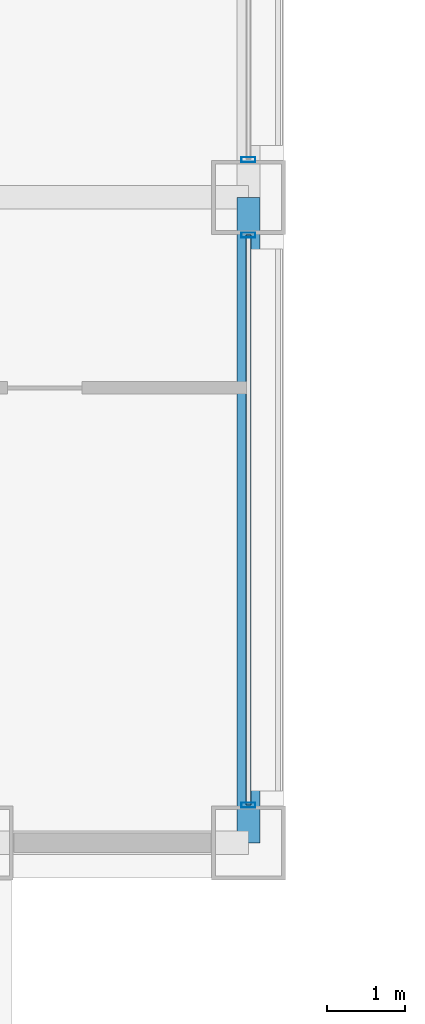
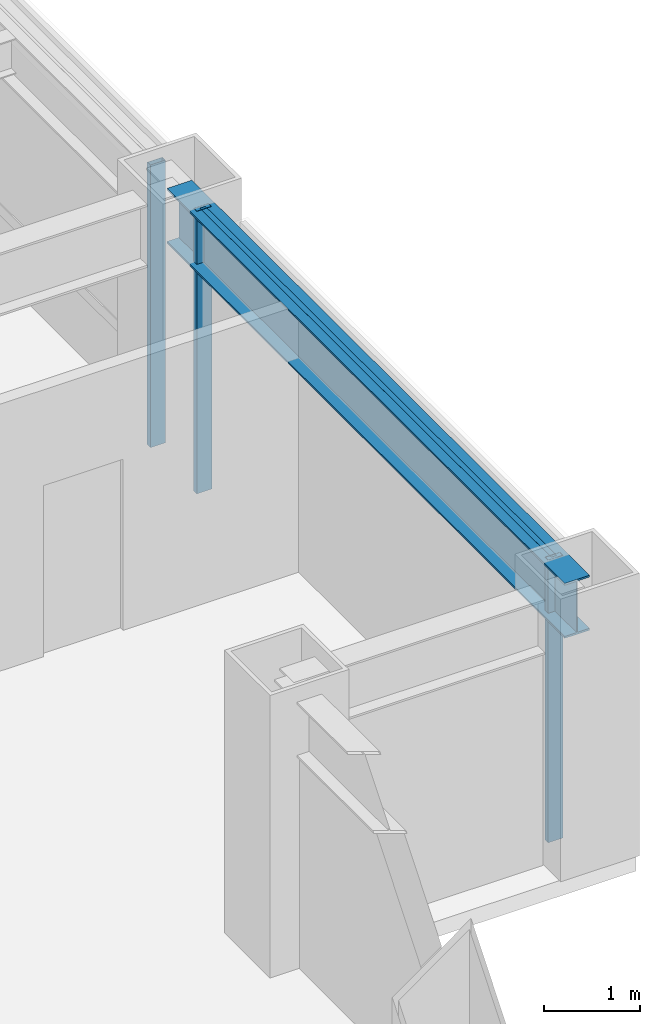
# One storey, part 12 of 28: 4 members, 1 beam, 2 elements without a shape of their own.
"""IFC4 building model written with IfcOpenShell, lengths in metres."""

from ifc_helpers import new_model, si_unit, direction, frame, origin, origin_2d, place, context, subcontext, project, spatial, hollow_rectangle, i_section, extrude, material, layer, layer_set, material_profile, profile_set, type_object, element, aggregate, save


model = new_model("IFC4")

# Units and contexts
model_context = context("Model", 3, precision=1e-05, world=origin(), true_north=direction((0.0, 1.0)))
body_context = subcontext(model_context, "Body", "Model", "MODEL_VIEW")
ifc_project = project(units=[si_unit("LENGTHUNIT", "METRE"), si_unit("AREAUNIT", "SQUARE_METRE"), si_unit("VOLUMEUNIT", "CUBIC_METRE"), si_unit("PLANEANGLEUNIT", "RADIAN"), si_unit("MASSUNIT", "GRAM", prefix="KILO")], contexts=[model_context])

# Site, building, storey
site_placement = place(None, origin())
site = spatial("IfcSite", under=ifc_project, at=site_placement, CompositionType="ELEMENT")
building_placement = place(site_placement, origin())
building = spatial("IfcBuilding", under=site, at=building_placement, Name="Brelmoor Portico Tower", CompositionType="ELEMENT")
storey_placement = place(building_placement, frame((0.0, 0.0, 49.199951171875)))
storey = spatial("IfcBuildingStorey", under=building, at=storey_placement, Name="L12", CompositionType="ELEMENT", Elevation=49.199951171875)

# Beam
ifc_material_1 = material(Name="Steel Q355B", Category="steel")
ifc_material_profile_1 = material_profile(ifc_material_1, i_section(OverallWidth=0.300048828125, OverallDepth=0.699951171875, WebThickness=0.012939453125, FlangeThickness=0.02392578125, at=origin_2d()), Name="HN 700x300x13x24")
ifc_profile_set_1 = profile_set([ifc_material_profile_1], Name="Steel Q355B")
beam_type = type_object("IfcBeamType", Name="BM-SP-700", PredefinedType="SPANDREL", material=ifc_profile_set_1)
beam_placement = place(storey_placement, frame((24.550048828125, -18.050048828125, 3.050048828125), z_axis=(0.0, 1.0, 0.0), x_axis=(-1.0, 0.0, 0.0)))
element("IfcBeam", 1, at=beam_placement, inside=storey, type_object=beam_type, Name="L12 Perimeter Spandrel Beam SP-22", PredefinedType="SPANDREL", context=body_context, shape_type="SweptSolid", body=[
    extrude(i_section(OverallWidth=0.300048828125, OverallDepth=0.699951171875, WebThickness=0.012939453125, FlangeThickness=0.02392578125, at=origin_2d()), origin(), (0.0, 0.0, 1.0), 8.300048828125),
])

# Curtain wall, members
ifc_material_2 = material(Name="Anodised Aluminium Alloy 6063-T6", Category="aluminium")
ifc_layer_1 = layer(ifc_material_2, 0.179931640625)
ifc_layer_set_1 = layer_set([ifc_layer_1], Name="Anodised Aluminium Alloy 6063-T6")
curtain_wall_type_1 = type_object("IfcCurtainWallType", Name="CW-TOWER-Z1-XB", PredefinedType="NOTDEFINED", material=ifc_layer_set_1)
curtain_wall_1_placement = place(storey_placement, origin())
curtain_wall_1 = element("IfcCurtainWall", 2, at=curtain_wall_1_placement, inside=storey, type_object=curtain_wall_type_1, Name="L12 Curtain Wall CW-L12-04-1", PredefinedType="NOTDEFINED")
ifc_material_profile_2 = material_profile(ifc_material_2, hollow_rectangle(XDim=0.06494140625, YDim=0.179931640625, WallThickness=0.00390625, at=origin_2d()), Name="ALU MULLION 65x180")
ifc_profile_set_2 = profile_set([ifc_material_profile_2], Name="Anodised Aluminium Alloy 6063-T6")
member_type_1 = type_object("IfcMemberType", Name="MB-CW-MULL-180", PredefinedType="MULLION", material=ifc_profile_set_2)
member_1_placement = place(storey_placement, frame((24.550048828125, -17.56494140625, -0.199951171875), z_axis=(0.0, 0.0, 1.0), x_axis=(0.0, 1.0, 0.0)))
member_1 = element("IfcMember", 3, at=member_1_placement, type_object=member_type_1, Name="CW-L12-04-1 Mullion 00", PredefinedType="MULLION", context=body_context, shape_type="SweptSolid", body=[
    extrude(hollow_rectangle(XDim=0.06494140625, YDim=0.179931640625, WallThickness=0.00390625, at=origin_2d()), origin(), (0.0, 0.0, 1.0), 3.60009765625),
])
member_2_placement = place(storey_placement, frame((24.550048828125, -10.235107421875, -0.199951171875), z_axis=(0.0, 0.0, 1.0), x_axis=(0.0, 1.0, 0.0)))
member_2 = element("IfcMember", 4, at=member_2_placement, type_object=member_type_1, Name="CW-L12-04-1 Mullion 01", PredefinedType="MULLION", context=body_context, shape_type="SweptSolid", body=[
    extrude(hollow_rectangle(XDim=0.06494140625, YDim=0.179931640625, WallThickness=0.00390625, at=origin_2d()), origin(), (0.0, 0.0, 1.0), 3.60009765625),
])

# Curtain wall, member
ifc_layer_2 = layer(ifc_material_2, 0.179931640625)
ifc_layer_set_2 = layer_set([ifc_layer_2], Name="Anodised Aluminium Alloy 6063-T6")
curtain_wall_type_2 = type_object("IfcCurtainWallType", Name="CW-TOWER-Z1", PredefinedType="NOTDEFINED", material=ifc_layer_set_2)
curtain_wall_2_placement = place(storey_placement, origin())
curtain_wall_2 = element("IfcCurtainWall", 5, at=curtain_wall_2_placement, inside=storey, type_object=curtain_wall_type_2, Name="L12 Curtain Wall CW-L12-04-2", PredefinedType="NOTDEFINED")
member_3_placement = place(storey_placement, frame((24.550048828125, -9.264892578125, -0.199951171875), z_axis=(0.0, 0.0, 1.0), x_axis=(0.0, 1.0, 0.0)))
member_3 = element("IfcMember", 6, at=member_3_placement, type_object=member_type_1, Name="CW-L12-04-2 Mullion 00", PredefinedType="MULLION", context=body_context, shape_type="SweptSolid", body=[
    extrude(hollow_rectangle(XDim=0.06494140625, YDim=0.179931640625, WallThickness=0.00390625, at=origin_2d()), origin(), (0.0, 0.0, 1.0), 3.60009765625),
])
aggregate(curtain_wall_2, [member_3])

# Member
ifc_material_profile_3 = material_profile(ifc_material_2, hollow_rectangle(XDim=0.06494140625, YDim=0.139892578125, WallThickness=0.00390625, at=origin_2d()), Name="ALU TRANSOM 65x140")
ifc_profile_set_3 = profile_set([ifc_material_profile_3], Name="Anodised Aluminium Alloy 6063-T6")
member_type_2 = type_object("IfcMemberType", Name="MB-CW-TRAN-140", PredefinedType="USERDEFINED", material=ifc_profile_set_3)
member_4_placement = place(storey_placement, frame((24.550048828125, -17.56494140625, 3.330078125), z_axis=(0.0, 1.0, 0.0), x_axis=(-1.0, 0.0, 0.0)))
member_4 = element("IfcMember", 7, at=member_4_placement, type_object=member_type_2, Name="CW-L12-04-1 Transom 1-00", ObjectType="TRANSOM", PredefinedType="USERDEFINED", context=body_context, shape_type="SweptSolid", body=[
    extrude(hollow_rectangle(XDim=0.06494140625, YDim=0.139892578125, WallThickness=0.00390625, at=origin_2d()), origin(), (0.0, 0.0, 1.0), 7.329833984375),
])

aggregate(curtain_wall_1, [member_1, member_2, member_4])

save(model, "model.ifc")
